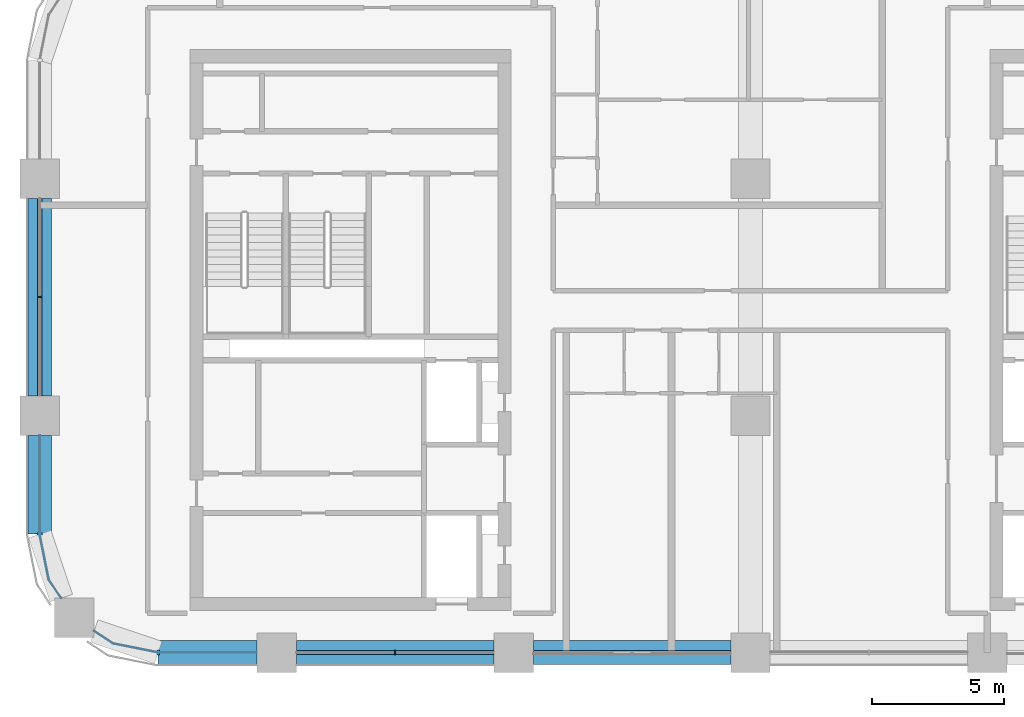
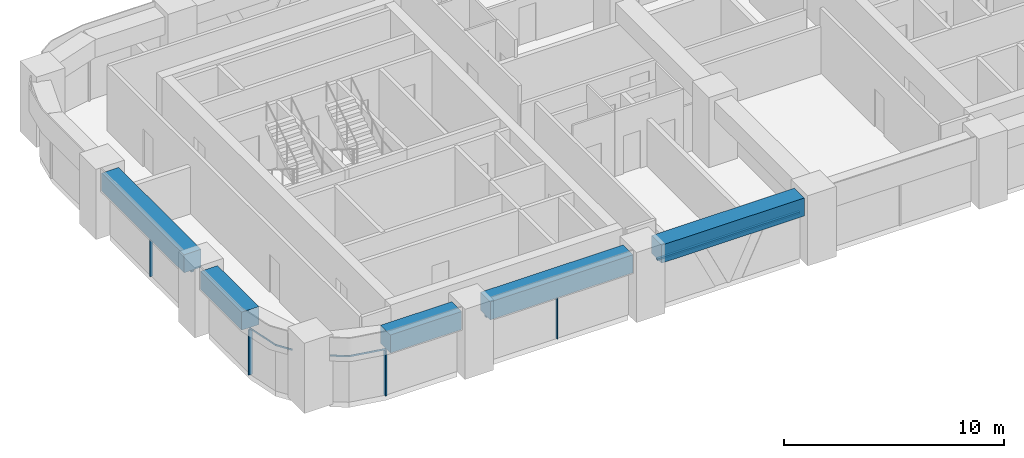
# One storey, part 2 of 14: 9 members, 5 beams, 5 elements without a shape of their own.
"""IFC4 building model written with IfcOpenShell, lengths in metres."""

from ifc_helpers import new_model, si_unit, direction, frame, origin, origin_2d, place, context, subcontext, project, spatial, polyline, rectangle, outline, extrude, material, material_profile, profile_set, type_object, element, aggregate, save


model = new_model("IFC4")

# Units and contexts
model_context = context("Model", 3, precision=1e-05, world=origin(), true_north=direction((0.0, 1.0)))
body_context = subcontext(model_context, "Body", "Model", "MODEL_VIEW")
ifc_project = project(units=[si_unit("LENGTHUNIT", "METRE"), si_unit("AREAUNIT", "SQUARE_METRE"), si_unit("VOLUMEUNIT", "CUBIC_METRE"), si_unit("PLANEANGLEUNIT", "RADIAN"), si_unit("MASSUNIT", "GRAM", prefix="KILO")], contexts=[model_context])

# Site, building, storey
site_placement = place(None, origin())
site = spatial("IfcSite", under=ifc_project, at=site_placement, CompositionType="ELEMENT")
building_placement = place(site_placement, origin())
building = spatial("IfcBuilding", under=site, at=building_placement, Name="Tessera Arch", CompositionType="ELEMENT")
storey_placement = place(building_placement, frame((0.0, 0.0, 173.89990234375)))
storey = spatial("IfcBuildingStorey", under=building, at=storey_placement, Name="L41", CompositionType="ELEMENT", Elevation=173.89990234375)

# Curtain wall, member
ifc_material_1 = material(Name="CW1 curtain wall")
curtain_wall_type_1 = type_object("IfcCurtainWallType", Name="CW1 curtain wall", PredefinedType="NOTDEFINED", material=ifc_material_1)
curtain_wall_1_placement = place(storey_placement, origin())
curtain_wall_1 = element("IfcCurtainWall", 1, at=curtain_wall_1_placement, inside=storey, type_object=curtain_wall_type_1, Name="CW1 curtain wall W0.27/1 L41", PredefinedType="NOTDEFINED")
ifc_material_2 = material(Name="Anodised aluminium pale metal", Category="aluminium")
ifc_material_profile_1 = material_profile(ifc_material_2, rectangle(XDim=0.159912109375, YDim=0.06005859375, at=origin_2d()), Name="AL 60x160")
ifc_profile_set_1 = profile_set([ifc_material_profile_1], Name="Anodised aluminium pale metal")
member_type_1 = type_object("IfcMemberType", Name="CW1 mullion", PredefinedType="MULLION", material=ifc_profile_set_1)
member_1_placement = place(storey_placement, frame((0.0, 40.5, 0.0), z_axis=(0.0, 0.0, 1.0), x_axis=(1.0, 0.0, 0.0)))
member_1 = element("IfcMember", 2, at=member_1_placement, type_object=member_type_1, Name="CW1 mullion W0.27/1 1", PredefinedType="MULLION", context=body_context, shape_type="SweptSolid", body=[
    extrude(rectangle(XDim=0.159912109375, YDim=0.06005859375, at=origin_2d()), origin(), (0.0, 0.0, 1.0), 2.5),
])

curtain_wall_2_placement = place(storey_placement, origin())
curtain_wall_2 = element("IfcCurtainWall", 3, at=curtain_wall_2_placement, inside=storey, type_object=curtain_wall_type_1, Name="CW1 curtain wall S27.0/1 L41", PredefinedType="NOTDEFINED")
member_2_placement = place(storey_placement, frame((13.5, 27.0, 0.0), z_axis=(0.0, 0.0, 1.0), x_axis=(0.0, 1.0, 0.0)))
member_2 = element("IfcMember", 4, at=member_2_placement, type_object=member_type_1, Name="CW1 mullion S27.0/1 1", PredefinedType="MULLION", context=body_context, shape_type="SweptSolid", body=[
    extrude(rectangle(XDim=0.159912109375, YDim=0.06005859375, at=origin_2d()), origin(), (0.0, 0.0, 1.0), 2.5),
])

# Member
ifc_material_3 = material(Name="Anodised aluminium pale metal", Category="aluminium")
ifc_material_profile_2 = material_profile(ifc_material_3, rectangle(XDim=0.159912109375, YDim=0.10009765625, at=origin_2d()), Name="AL 160x100")
ifc_profile_set_2 = profile_set([ifc_material_profile_2], Name="Anodised aluminium pale metal")
member_type_2 = type_object("IfcMemberType", Name="CW1 transom", PredefinedType="USERDEFINED", material=ifc_profile_set_2)
member_3_placement = place(storey_placement, frame((0.0, 44.25, 2.550048828125), z_axis=(0.0, -1.0, 0.0), x_axis=(1.0, 0.0, 0.0)))
member_3 = element("IfcMember", 5, at=member_3_placement, type_object=member_type_2, Name="CW1 transom W0.27/1 1.1", ObjectType="TRANSOM", PredefinedType="USERDEFINED", context=body_context, shape_type="SweptSolid", body=[
    extrude(rectangle(XDim=0.159912109375, YDim=0.10009765625, at=origin_2d()), origin(), (0.0, 0.0, 1.0), 7.5),
])

aggregate(curtain_wall_1, [member_1, member_3])

member_4_placement = place(storey_placement, frame((9.75, 27.0, 2.550048828125), z_axis=(1.0, 0.0, 0.0), x_axis=(0.0, 1.0, 0.0)))
member_4 = element("IfcMember", 6, at=member_4_placement, type_object=member_type_2, Name="CW1 transom S27.0/1 1.1", ObjectType="TRANSOM", PredefinedType="USERDEFINED", context=body_context, shape_type="SweptSolid", body=[
    extrude(rectangle(XDim=0.159912109375, YDim=0.10009765625, at=origin_2d()), origin(), (0.0, 0.0, 1.0), 7.5),
])

aggregate(curtain_wall_2, [member_2, member_4])

# Curtain wall, member
ifc_material_4 = material(Name="CW2 curtain wall")
curtain_wall_type_2 = type_object("IfcCurtainWallType", Name="CW2 curtain wall", PredefinedType="NOTDEFINED", material=ifc_material_4)
curtain_wall_3_placement = place(storey_placement, origin())
curtain_wall_3 = element("IfcCurtainWall", 7, at=curtain_wall_3_placement, inside=storey, type_object=curtain_wall_type_2, Name="CW2 curtain wall W0.27/2 L41", PredefinedType="NOTDEFINED")
ifc_material_5 = material(Name="Anodised aluminium pale metal", Category="aluminium")
ifc_material_profile_3 = material_profile(ifc_material_5, rectangle(XDim=0.199951171875, YDim=0.080078125, at=origin_2d()), Name="AL 80x200")
ifc_profile_set_3 = profile_set([ifc_material_profile_3], Name="Anodised aluminium pale metal")
member_type_3 = type_object("IfcMemberType", Name="CW2 mullion", PredefinedType="MULLION", material=ifc_profile_set_3)
member_5_placement = place(storey_placement, frame((0.0, 31.5, 0.0), z_axis=(0.0, 0.0, 1.0), x_axis=(1.0, 0.0, 0.0)))
member_5 = element("IfcMember", 8, at=member_5_placement, type_object=member_type_3, Name="CW2 mullion W0.27/2 1", PredefinedType="MULLION", context=body_context, shape_type="SweptSolid", body=[
    extrude(rectangle(XDim=0.199951171875, YDim=0.080078125, at=origin_2d()), origin(), (0.0, 0.0, 1.0), 2.5),
])

curtain_wall_4_placement = place(storey_placement, origin())
curtain_wall_4 = element("IfcCurtainWall", 9, at=curtain_wall_4_placement, inside=storey, type_object=curtain_wall_type_2, Name="CW2 curtain wall S27.0/0 L41", PredefinedType="NOTDEFINED")
member_6_placement = place(storey_placement, frame((4.5, 27.0, 0.0), z_axis=(0.0, 0.0, 1.0), x_axis=(0.0, 1.0, 0.0)))
member_6 = element("IfcMember", 10, at=member_6_placement, type_object=member_type_3, Name="CW2 mullion S27.0/0 1", PredefinedType="MULLION", context=body_context, shape_type="SweptSolid", body=[
    extrude(rectangle(XDim=0.199951171875, YDim=0.080078125, at=origin_2d()), origin(), (0.0, 0.0, 1.0), 2.5),
])

# Member
ifc_material_6 = material(Name="Anodised aluminium pale metal", Category="aluminium")
ifc_material_profile_4 = material_profile(ifc_material_6, rectangle(XDim=0.199951171875, YDim=0.10009765625, at=origin_2d()), Name="AL 200x100")
ifc_profile_set_4 = profile_set([ifc_material_profile_4], Name="Anodised aluminium pale metal")
member_type_4 = type_object("IfcMemberType", Name="CW2 transom", PredefinedType="USERDEFINED", material=ifc_profile_set_4)
member_7_placement = place(storey_placement, frame((0.0, 0.0, 2.5)))
member_7 = element("IfcMember", 11, at=member_7_placement, type_object=member_type_4, Name="CW2 transom W0.27/2 1", ObjectType="TRANSOM", PredefinedType="USERDEFINED", context=body_context, shape_type="SweptSolid", body=[
    extrude(outline(polyline([(0.010009765625, 31.5009765625), (0.010009765625, 35.25), (-0.010009765625, 35.25), (-0.010009765625, 31.4990234375), (0.3330078125, 29.77392578125), (0.80859375, 29.0625), (0.8251953125, 29.073486328125), (0.351806640625, 29.78173828125), (0.010009765625, 31.5009765625)])), origin(), (0.0, 0.0, 1.0), 0.10009765625),
])

aggregate(curtain_wall_3, [member_5, member_7])

member_8_placement = place(storey_placement, frame((0.0, 0.0, 2.5)))
member_8 = element("IfcMember", 12, at=member_8_placement, type_object=member_type_4, Name="CW2 transom S27.0/0 1", ObjectType="TRANSOM", PredefinedType="USERDEFINED", context=body_context, shape_type="SweptSolid", body=[
    extrude(outline(polyline([(2.78173828125, 27.351806640625), (2.073486328125, 27.8251953125), (2.0625, 27.80859375), (2.77392578125, 27.3330078125), (4.4990234375, 26.989990234375), (8.25, 26.989990234375), (8.25, 27.010009765625), (4.5009765625, 27.010009765625), (2.78173828125, 27.351806640625)])), origin(), (0.0, 0.0, 1.0), 0.10009765625),
])

aggregate(curtain_wall_4, [member_6, member_8])

# Curtain wall, member
ifc_material_7 = material(Name="CW3 curtain wall")
curtain_wall_type_3 = type_object("IfcCurtainWallType", Name="CW3 curtain wall", PredefinedType="NOTDEFINED", material=ifc_material_7)
curtain_wall_5_placement = place(storey_placement, origin())
curtain_wall_5 = element("IfcCurtainWall", 13, at=curtain_wall_5_placement, inside=storey, type_object=curtain_wall_type_3, Name="CW3 curtain wall S27.0/2 L41", PredefinedType="NOTDEFINED")
ifc_material_8 = material(Name="Anodised aluminium pale metal", Category="aluminium")
ifc_material_profile_5 = material_profile(ifc_material_8, rectangle(XDim=0.139892578125, YDim=0.10009765625, at=origin_2d()), Name="AL 140x100")
ifc_profile_set_5 = profile_set([ifc_material_profile_5], Name="Anodised aluminium pale metal")
member_type_5 = type_object("IfcMemberType", Name="CW3 transom", PredefinedType="USERDEFINED", material=ifc_profile_set_5)
member_9_placement = place(storey_placement, frame((18.75, 27.0, 2.550048828125), z_axis=(1.0, 0.0, 0.0), x_axis=(0.0, 1.0, 0.0)))
member_9 = element("IfcMember", 14, at=member_9_placement, type_object=member_type_5, Name="CW3 transom S27.0/2 1.1", ObjectType="TRANSOM", PredefinedType="USERDEFINED", context=body_context, shape_type="SweptSolid", body=[
    extrude(rectangle(XDim=0.139892578125, YDim=0.10009765625, at=origin_2d()), origin(), (0.0, 0.0, 1.0), 7.5),
])
aggregate(curtain_wall_5, [member_9])

# Beams
ifc_material_9 = material(Name="Concrete C70/85", Category="concrete")
ifc_material_profile_6 = material_profile(ifc_material_9, rectangle(XDim=0.89990234375, YDim=1.0, at=origin_2d()), Name="RC spandrel beam 900 x 1000 Concrete C70/85")
ifc_profile_set_6 = profile_set([ifc_material_profile_6], Name="Concrete C70/85")
beam_type = type_object("IfcBeamType", Name="RC spandrel beam 900 x 1000 Concrete C70/85", PredefinedType="BEAM", material=ifc_profile_set_6)
beam_placement = place(storey_placement, frame((0.0, 44.25, 3.10009765625), z_axis=(0.0, -1.0, 0.0), x_axis=(1.0, 0.0, 0.0)))
element("IfcBeam", 15, at=beam_placement, inside=storey, type_object=beam_type, Name="Spandrel beam L41 W0.27/1", PredefinedType="BEAM", context=body_context, shape_type="SweptSolid", body=[
    extrude(rectangle(XDim=0.89990234375, YDim=1.0, at=origin_2d()), origin(), (0.0, 0.0, 1.0), 7.5),
])
for number, where, z_axis, x_axis, name in (
    (16, (0.0, 35.25, 3.10009765625), (0.0, -1.0, 0.0), (1.0, 0.0, 0.0), "Spandrel beam L41 W0.27/2.1"),
    (17, (4.5, 27.0, 3.10009765625), (1.0, 0.0, 0.0), (0.0, 1.0, 0.0), "Spandrel beam L41 S27.0/0.2"),
):
    element("IfcBeam", number, at=place(storey_placement, frame(where, z_axis=z_axis, x_axis=x_axis)), inside=storey, type_object=beam_type, Name=name, PredefinedType="BEAM", context=body_context, shape_type="SweptSolid", body=[
        extrude(rectangle(XDim=0.89990234375, YDim=1.0, at=origin_2d()), origin(), (0.0, 0.0, 1.0), 3.75),
    ])
for number, where, z_axis, x_axis, name in (
    (18, (9.75, 27.0, 3.10009765625), (1.0, 0.0, 0.0), (0.0, 1.0, 0.0), "Spandrel beam L41 S27.0/1"),
    (19, (18.75, 27.0, 3.10009765625), (1.0, 0.0, 0.0), (0.0, 1.0, 0.0), "Spandrel beam L41 S27.0/2"),
):
    element("IfcBeam", number, at=place(storey_placement, frame(where, z_axis=z_axis, x_axis=x_axis)), inside=storey, type_object=beam_type, Name=name, PredefinedType="BEAM", context=body_context, shape_type="SweptSolid", body=[
        extrude(rectangle(XDim=0.89990234375, YDim=1.0, at=origin_2d()), origin(), (0.0, 0.0, 1.0), 7.5),
    ])

save(model, "model.ifc")
